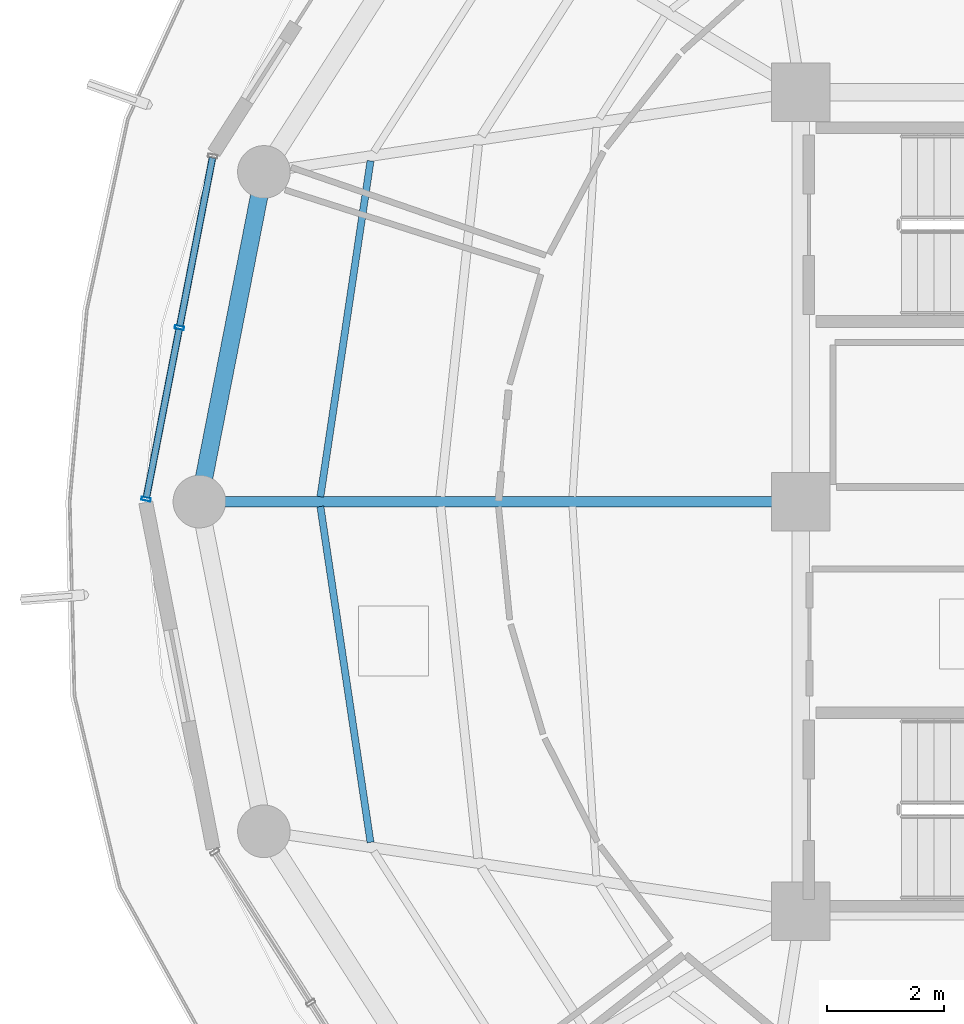
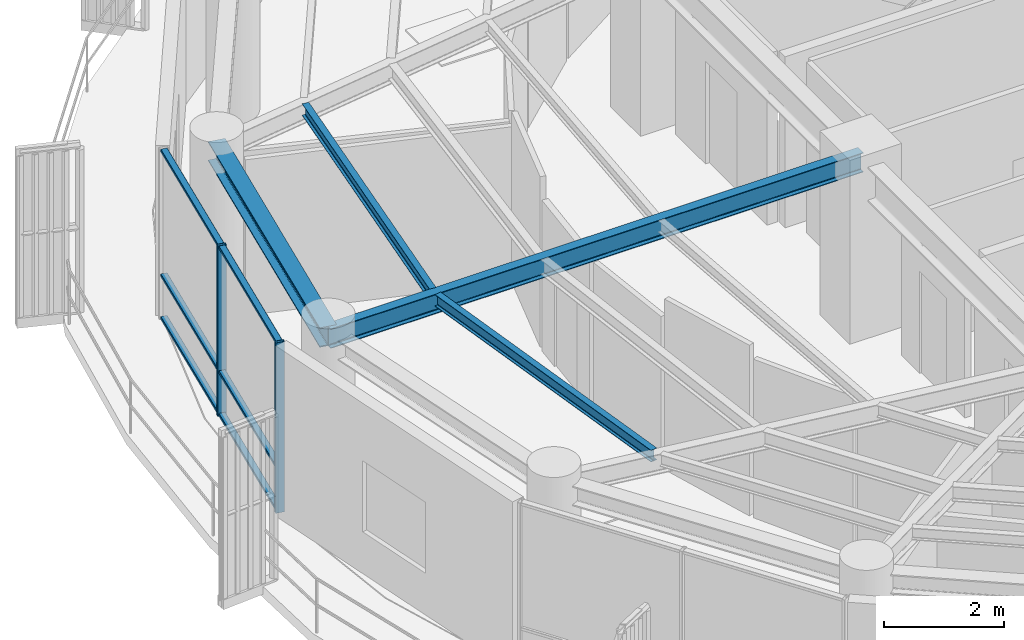
# One storey, part 7 of 23: 8 members, 4 beams, 1 element without a shape of its own.
"""IFC4 building model written with IfcOpenShell, lengths in metres."""

import ifcopenshell
import ifcopenshell.guid

model = None  # the IFC model being written
_history = None  # IfcOwnerHistory: only IFC2X3 demands one
_inside = {}  # id of a spatial element -> (the spatial element, [elements in it])
_under = {}  # id of a project, library or spatial element -> (it, [spatial elements below it])
_declared = {}  # id of a project -> (the project, [libraries it declares])
_typed = {}  # id of a type object -> (the type object, [elements of that type])
_made_of = {}  # id of a material, layer set ... -> (it, [elements and type objects made of it])


def new_model(schema):
    """Start an empty IFC model of exactly this schema.

    Asked for "IFC4X3", IfcOpenShell would pick the latest addendum, in which some entities
    have other attributes; the version numbers below select the first issue.
    IFC2X3 requires an IfcOwnerHistory on every rooted entity: one is made here for all.
    """
    global model, _history
    if schema == "IFC4X3":
        model = ifcopenshell.file(schema_version=(4, 3, 0, 0))
    else:
        model = ifcopenshell.file(schema=schema)
    _inside.clear()
    _under.clear()
    _declared.clear()
    _typed.clear()
    _made_of.clear()
    _history = None
    if model.schema == "IFC2X3":
        org = make("IfcOrganization", Name="unknown")
        user = make(
            "IfcPersonAndOrganization",
            ThePerson=make("IfcPerson", FamilyName="unknown"),
            TheOrganization=org,
        )
        app = make(
            "IfcApplication",
            ApplicationDeveloper=org,
            Version="unknown",
            ApplicationFullName="unknown",
            ApplicationIdentifier="unknown",
        )
        _history = make(
            "IfcOwnerHistory",
            OwningUser=user,
            OwningApplication=app,
            ChangeAction="ADDED",
            CreationDate=0,
        )
    return model


def make(cls, **values):
    """One entity of the class cls with the attributes given. An attribute that is None is left unset."""
    return model.create_entity(
        cls, **{name: value for name, value in values.items() if value is not None}
    )


def rooted(cls, **values):
    """An entity with a GlobalId (a new one), such as an element, a storey or a relation."""
    return make(cls, GlobalId=ifcopenshell.guid.new(), OwnerHistory=_history, **values)


def si_unit(unit_type, name, prefix=None):
    """IfcSIUnit, for example si_unit("LENGTHUNIT", "METRE", prefix="MILLI")."""
    return make("IfcSIUnit", UnitType=unit_type, Prefix=prefix, Name=name)


def assignment(units):
    """IfcUnitAssignment: the units of a project."""
    return None if units is None else make("IfcUnitAssignment", Units=units)


def point(xyz):
    """IfcCartesianPoint."""
    return None if xyz is None else make("IfcCartesianPoint", Coordinates=xyz)


def direction(xyz):
    """IfcDirection."""
    return None if xyz is None else make("IfcDirection", DirectionRatios=xyz)


def frame(location, z_axis=None, x_axis=None):
    """IfcAxis2Placement3D, a coordinate frame: its origin and axes. An axis left out is left unset."""
    return make(
        "IfcAxis2Placement3D",
        Location=point(location),
        Axis=direction(z_axis),
        RefDirection=direction(x_axis),
    )


def frame_2d(location, x_axis=None):
    """IfcAxis2Placement2D, a coordinate frame in the plane: its origin and x axis."""
    return make(
        "IfcAxis2Placement2D", Location=point(location), RefDirection=direction(x_axis)
    )


def origin():
    """The frame at (0, 0, 0) with its axes left unset."""
    return frame((0.0, 0.0, 0.0))


def origin_2d():
    """The frame at (0, 0) in the plane with its x axis left unset."""
    return frame_2d((0.0, 0.0))


def place(relative_to, where):
    """IfcLocalPlacement: puts the frame where relative to a parent placement (None: the world)."""
    return make(
        "IfcLocalPlacement", PlacementRelTo=relative_to, RelativePlacement=where
    )


def context(
    kind, dimensions, precision=None, world=None, true_north=None, identifier=None
):
    """IfcGeometricRepresentationContext, for example the 3D "Model" context."""
    return make(
        "IfcGeometricRepresentationContext",
        ContextIdentifier=identifier,
        ContextType=kind,
        CoordinateSpaceDimension=dimensions,
        Precision=precision,
        WorldCoordinateSystem=world,
        TrueNorth=true_north,
    )


def subcontext(parent, identifier, kind, view, scale=None):
    """IfcGeometricRepresentationSubContext, for example "Body" below "Model"."""
    return make(
        "IfcGeometricRepresentationSubContext",
        ContextIdentifier=identifier,
        ContextType=kind,
        ParentContext=parent,
        TargetScale=scale,
        TargetView=view,
    )


def project(units=None, contexts=None):
    """IfcProject with its units and contexts."""
    return rooted(
        "IfcProject",
        Name="project",
        RepresentationContexts=contexts,
        UnitsInContext=assignment(units),
    )


def spatial(cls, under=None, at=None, **own):
    """A site, building, storey or space (cls), placed at a placement, below another one or the project."""
    s = rooted(cls, ObjectPlacement=at, **own)
    if under is not None:
        _under.setdefault(under.id(), (under, []))[1].append(s)
    return s


def profile(cls, at=None, kind="AREA", **sizes):
    """A parametric profile (cls). Its sizes go by their IFC names, for example OverallWidth=200.0."""
    return make(cls, ProfileType=kind, Position=at, **sizes)


def hollow_rectangle(**sizes):
    """IfcRectangleHollowProfileDef."""
    return profile("IfcRectangleHollowProfileDef", **sizes)


def i_section(**sizes):
    """IfcIShapeProfileDef."""
    return profile("IfcIShapeProfileDef", **sizes)


def extrude(swept, where, along, depth):
    """IfcExtrudedAreaSolid: the profile swept, set in the frame where, extruded along a direction by depth."""
    return make(
        "IfcExtrudedAreaSolid",
        SweptArea=swept,
        Position=where,
        ExtrudedDirection=direction(along),
        Depth=depth,
    )


def shape(context_of_items, identifier, shape_type, items):
    """IfcShapeRepresentation: the items that make up one representation, for example the "Body"."""
    return make(
        "IfcShapeRepresentation",
        ContextOfItems=context_of_items,
        RepresentationIdentifier=identifier,
        RepresentationType=shape_type,
        Items=items,
    )


def material(Name=None, Category=None):
    """IfcMaterial."""
    return make("IfcMaterial", Name=Name, Category=Category)


def layer(
    of_material, thickness, ventilated=None, Name=None, Category=None, Priority=None
):
    """IfcMaterialLayer: one layer of a wall or slab, of a material (None: an air gap)."""
    return make(
        "IfcMaterialLayer",
        Material=of_material,
        LayerThickness=thickness,
        IsVentilated=ventilated,
        Name=Name,
        Category=Category,
        Priority=Priority,
    )


def layer_set(layers, Name=None):
    """IfcMaterialLayerSet."""
    return make("IfcMaterialLayerSet", MaterialLayers=layers, LayerSetName=Name)


def material_profile(
    of_material, cross_section, Name=None, Category=None, Priority=None
):
    """IfcMaterialProfile: a cross section and its material."""
    return make(
        "IfcMaterialProfile",
        Name=Name,
        Material=of_material,
        Profile=cross_section,
        Priority=Priority,
        Category=Category,
    )


def profile_set(profiles, Name=None, composite=None):
    """IfcMaterialProfileSet."""
    return make(
        "IfcMaterialProfileSet",
        Name=Name,
        MaterialProfiles=profiles,
        CompositeProfile=composite,
    )


def made_of(thing, what):
    """Note that an element or type object is made of a material, layer set ...; save() writes the relation."""
    if what is not None:
        _made_of.setdefault(what.id(), (what, []))[1].append(thing)
    return thing


def type_object(cls, material=None, **own):
    """A type object (cls), such as IfcWallType, which elements share."""
    return made_of(rooted(cls, **own), material)


def element(
    cls,
    number,
    at=None,
    inside=None,
    cuts=None,
    type_object=None,
    material=None,
    context=None,
    identifier="Body",
    shape_type=None,
    held_by="IfcProductDefinitionShape",
    body=None,
    shapes=None,
    **own,
):
    """One element of the class cls, such as IfcWall. Its Tag is "e" and its number.

    at: its placement. inside: the storey or other place that contains it. cuts: it is an
    opening in that element (IfcRelVoidsElement). A single representation is given by context,
    identifier, shape_type and body (its items); several are given by shapes. held_by: the class
    of the entity that holds the representations. save() writes the other relations.
    """
    e = rooted(cls, Tag="e%d" % number, ObjectPlacement=at, **own)
    if body is not None:
        shapes = [shape(context, identifier, shape_type, body)]
    if shapes is not None:
        e.Representation = make(held_by, Representations=shapes)
    if inside is not None:
        _inside.setdefault(inside.id(), (inside, []))[1].append(e)
    if cuts is not None:
        rooted(
            "IfcRelVoidsElement", RelatingBuildingElement=cuts, RelatedOpeningElement=e
        )
    if type_object is not None:
        _typed.setdefault(type_object.id(), (type_object, []))[1].append(e)
    return made_of(e, material)


def aggregate(whole, parts):
    """IfcRelAggregates: a whole, such as a stair, and the parts it consists of."""
    return rooted("IfcRelAggregates", RelatingObject=whole, RelatedObjects=parts)


def save(model, path):
    """Write the relations noted so far, then the file.

    IfcRelAggregates (storeys below a building ...), IfcRelContainedInSpatialStructure (elements
    in a storey), IfcRelDefinesByType, IfcRelAssociatesMaterial and IfcRelDeclares: one each for
    every whole, place, type object, material and project.
    """
    for whole, parts in _under.values():
        aggregate(whole, parts)
    for where, things in _inside.values():
        rooted(
            "IfcRelContainedInSpatialStructure",
            RelatedElements=things,
            RelatingStructure=where,
        )
    for kind, things in _typed.values():
        rooted("IfcRelDefinesByType", RelatedObjects=things, RelatingType=kind)
    for what, things in _made_of.values():
        rooted("IfcRelAssociatesMaterial", RelatedObjects=things, RelatingMaterial=what)
    for by, libraries in _declared.values():
        rooted("IfcRelDeclares", RelatingContext=by, RelatedDefinitions=libraries)
    model.write(path)


model = new_model("IFC4")

# Units and contexts
model_context = context("Model", 3, precision=1e-05, world=origin(), true_north=direction((0.0, 1.0)))
body_context = subcontext(model_context, "Body", "Model", "MODEL_VIEW")
ifc_project = project(units=[si_unit("LENGTHUNIT", "METRE"), si_unit("AREAUNIT", "SQUARE_METRE"), si_unit("VOLUMEUNIT", "CUBIC_METRE"), si_unit("PLANEANGLEUNIT", "RADIAN"), si_unit("MASSUNIT", "GRAM", prefix="KILO")], contexts=[model_context])

# Site, building, storey
site_placement = place(None, origin())
site = spatial("IfcSite", under=ifc_project, at=site_placement, CompositionType="ELEMENT")
building_placement = place(site_placement, origin())
building = spatial("IfcBuilding", under=site, at=building_placement, Name="Kelanora Arch Commons", CompositionType="ELEMENT")
storey_placement = place(building_placement, frame((0.0, 0.0, 286.199951171875)))
storey = spatial("IfcBuildingStorey", under=building, at=storey_placement, Name="L73", CompositionType="ELEMENT", Elevation=286.199951171875)

# Beams
ifc_material_1 = material(Name="Steel S355", Category="steel")
ifc_material_profile_1 = material_profile(ifc_material_1, i_section(OverallWidth=0.1201171875, OverallDepth=0.239990234375, WebThickness=0.006103515625, FlangeThickness=0.009765625, FilletRadius=0.014892578125, at=origin_2d()), Name="IPE240")
ifc_profile_set_1 = profile_set([ifc_material_profile_1], Name="Steel S355")
beam_type_1 = type_object("IfcBeamType", Name="BM-JST-02", PredefinedType="JOIST", material=ifc_profile_set_1)
for number, where, z_axis, x_axis, name in (
    (1, (58.6455078125, 63.8251953125, 3.3701171875), (-0.14762470282, -0.989043450571, 0.0), (0.989043450571, -0.14762470282, 0.0), "Secondary Chord Joist BJC-16 L73"),
    (2, (57.78857421875, 57.916015625, 3.3701171875), (0.14762470282, -0.989043450571, 0.0), (0.989043450571, 0.14762470282, 0.0), "Secondary Chord Joist BJC-18 L73"),
):
    element("IfcBeam", number, at=place(storey_placement, frame(where, z_axis=z_axis, x_axis=x_axis)), inside=storey, type_object=beam_type_1, Name=name, PredefinedType="JOIST", context=body_context, shape_type="SweptSolid", body=[
        extrude(i_section(OverallWidth=0.1201171875, OverallDepth=0.239990234375, WebThickness=0.006103515625, FlangeThickness=0.009765625, FilletRadius=0.014892578125, at=origin_2d()), origin(), (0.0, 0.0, 1.0), 5.804931640625),
    ])
ifc_material_profile_2 = material_profile(ifc_material_1, i_section(OverallWidth=0.179931640625, OverallDepth=0.39990234375, WebThickness=0.008544921875, FlangeThickness=0.013427734375, FilletRadius=0.02099609375, at=origin_2d()), Name="IPE400")
ifc_profile_set_2 = profile_set([ifc_material_profile_2], Name="Steel S355")
beam_type_2 = type_object("IfcBeamType", Name="BM-RAD-Z5", PredefinedType="BEAM", material=ifc_profile_set_2)
beam_1_placement = place(storey_placement, frame((66.0, 58.0, 3.2900390625), z_axis=(-1.0, 0.0, 0.0), x_axis=(0.0, -1.0, 0.0)))
element("IfcBeam", 3, at=beam_1_placement, inside=storey, type_object=beam_type_2, Name="Radial Floor Girder BR-18 L73", PredefinedType="BEAM", context=body_context, shape_type="SweptSolid", body=[
    extrude(i_section(OverallWidth=0.179931640625, OverallDepth=0.39990234375, WebThickness=0.008544921875, FlangeThickness=0.013427734375, FilletRadius=0.02099609375, at=origin_2d()), origin(), (0.0, 0.0, 1.0), 10.280029296875),
])
ifc_material_profile_3 = material_profile(ifc_material_1, i_section(OverallWidth=0.300048828125, OverallDepth=0.39990234375, WebThickness=0.013427734375, FlangeThickness=0.02392578125, FilletRadius=0.027099609375, at=origin_2d()), Name="HEB400")
ifc_profile_set_3 = profile_set([ifc_material_profile_3], Name="Steel S355")
beam_type_3 = type_object("IfcBeamType", Name="BM-SPN-Z4", PredefinedType="SPANDREL", material=ifc_profile_set_3)
beam_2_placement = place(storey_placement, frame((56.822509765625, 63.636474609375, 3.2900390625), z_axis=(-0.191969774604, -0.981400838413, 0.0), x_axis=(0.981400838413, -0.191969774604, 0.0)))
element("IfcBeam", 4, at=beam_2_placement, inside=storey, type_object=beam_type_3, Name="Perimeter Spandrel Beam BS-16 L73", PredefinedType="SPANDREL", context=body_context, shape_type="SweptSolid", body=[
    extrude(i_section(OverallWidth=0.300048828125, OverallDepth=0.39990234375, WebThickness=0.013427734375, FlangeThickness=0.02392578125, FilletRadius=0.027099609375, at=origin_2d()), origin(), (0.0, 0.0, 1.0), 5.743408203125),
])

# Curtain wall, members
ifc_material_2 = material(Name="Terracotta ceramic-fritted low-E glass and aluminium", Category="masonry")
ifc_layer = layer(ifc_material_2, 0.18994140625)
ifc_layer_set = layer_set([ifc_layer], Name="Terracotta ceramic-fritted low-E glass and aluminium")
curtain_wall_type = type_object("IfcCurtainWallType", Name="CW-SYS-03", PredefinedType="NOTDEFINED", material=ifc_layer_set)
curtain_wall_placement = place(storey_placement, origin())
curtain_wall = element("IfcCurtainWall", 5, at=curtain_wall_placement, inside=storey, type_object=curtain_wall_type, Name="Unitised Curtain Wall L73-B08", PredefinedType="NOTDEFINED")
ifc_material_3 = material(Name="Powder-coated aluminium terracotta", Category="masonry")
ifc_material_profile_4 = material_profile(ifc_material_3, hollow_rectangle(XDim=0.159912109375, YDim=0.06005859375, WallThickness=0.0048828125, InnerFilletRadius=0.0048828125, OuterFilletRadius=0.010009765625, at=origin_2d()), Name="CWM160x60")
ifc_profile_set_4 = profile_set([ifc_material_profile_4], Name="Powder-coated aluminium terracotta")
member_type_1 = type_object("IfcMemberType", Name="CWM-STD", PredefinedType="MULLION", material=ifc_profile_set_4)
member_1_placement = place(storey_placement, frame((55.37890625, 60.9755859375, 0.0), z_axis=(0.0, 0.0, 1.0), x_axis=(0.981595542501, -0.190971701941, 0.0)))
member_1 = element("IfcMember", 6, at=member_1_placement, type_object=member_type_1, Name="CW-03 mullion 2", PredefinedType="MULLION", context=body_context, shape_type="SweptSolid", body=[
    extrude(hollow_rectangle(XDim=0.159912109375, YDim=0.06005859375, WallThickness=0.0048828125, InnerFilletRadius=0.0048828125, OuterFilletRadius=0.010009765625, at=origin_2d()), origin(), (0.0, 0.0, 1.0), 3.47509765625),
])
member_2_placement = place(storey_placement, frame((54.80859375, 58.044189453125, 0.0), z_axis=(0.0, 0.0, 1.0), x_axis=(0.981595542501, -0.190971701941, 0.0)))
member_2 = element("IfcMember", 7, at=member_2_placement, type_object=member_type_1, Name="CW-03 mullion 3", PredefinedType="MULLION", context=body_context, shape_type="SweptSolid", body=[
    extrude(hollow_rectangle(XDim=0.159912109375, YDim=0.06005859375, WallThickness=0.0048828125, InnerFilletRadius=0.0048828125, OuterFilletRadius=0.010009765625, at=origin_2d()), origin(), (0.0, 0.0, 1.0), 3.47509765625),
])
ifc_material_profile_5 = material_profile(ifc_material_3, hollow_rectangle(XDim=0.1201171875, YDim=0.06005859375, WallThickness=0.0048828125, InnerFilletRadius=0.0048828125, OuterFilletRadius=0.010009765625, at=origin_2d()), Name="CWT120x60")
ifc_profile_set_5 = profile_set([ifc_material_profile_5], Name="Powder-coated aluminium terracotta")
member_type_2 = type_object("IfcMemberType", Name="CWT-STD", PredefinedType="USERDEFINED", material=ifc_profile_set_5)
member_3_placement = place(storey_placement, frame((55.943603515625, 63.877685546875, 0.030029296875), z_axis=(-0.190963443354, -0.981597149192, 0.0), x_axis=(0.981597149192, -0.190963443354, 0.0)))
member_3 = element("IfcMember", 8, at=member_3_placement, type_object=member_type_2, Name="CW-03 transom 1.1", ObjectType="TRANSOM", PredefinedType="USERDEFINED", context=body_context, shape_type="SweptSolid", body=[
    extrude(hollow_rectangle(XDim=0.1201171875, YDim=0.06005859375, WallThickness=0.0048828125, InnerFilletRadius=0.0048828125, OuterFilletRadius=0.010009765625, at=origin_2d()), origin(), (0.0, 0.0, 1.0), 2.926513671875),
])
member_4_placement = place(storey_placement, frame((55.943603515625, 63.877685546875, 0.900146484375), z_axis=(-0.190963443354, -0.981597149192, 0.0), x_axis=(0.981597149192, -0.190963443354, 0.0)))
member_4 = element("IfcMember", 9, at=member_4_placement, type_object=member_type_2, Name="CW-03 transom 1.2", ObjectType="TRANSOM", PredefinedType="USERDEFINED", context=body_context, shape_type="SweptSolid", body=[
    extrude(hollow_rectangle(XDim=0.1201171875, YDim=0.06005859375, WallThickness=0.0048828125, InnerFilletRadius=0.0048828125, OuterFilletRadius=0.010009765625, at=origin_2d()), origin(), (0.0, 0.0, 1.0), 2.926513671875),
])
member_5_placement = place(storey_placement, frame((55.943603515625, 63.877685546875, 3.445068359375), z_axis=(-0.190963443354, -0.981597149192, 0.0), x_axis=(0.981597149192, -0.190963443354, 0.0)))
member_5 = element("IfcMember", 10, at=member_5_placement, type_object=member_type_2, Name="CW-03 transom 1.3", ObjectType="TRANSOM", PredefinedType="USERDEFINED", context=body_context, shape_type="SweptSolid", body=[
    extrude(hollow_rectangle(XDim=0.1201171875, YDim=0.06005859375, WallThickness=0.0048828125, InnerFilletRadius=0.0048828125, OuterFilletRadius=0.010009765625, at=origin_2d()), origin(), (0.0, 0.0, 1.0), 2.926513671875),
])
member_6_placement = place(storey_placement, frame((55.373291015625, 60.946044921875, 0.030029296875), z_axis=(-0.190963443354, -0.981597149192, 0.0), x_axis=(0.981597149192, -0.190963443354, 0.0)))
member_6 = element("IfcMember", 11, at=member_6_placement, type_object=member_type_2, Name="CW-03 transom 2.1", ObjectType="TRANSOM", PredefinedType="USERDEFINED", context=body_context, shape_type="SweptSolid", body=[
    extrude(hollow_rectangle(XDim=0.1201171875, YDim=0.06005859375, WallThickness=0.0048828125, InnerFilletRadius=0.0048828125, OuterFilletRadius=0.010009765625, at=origin_2d()), origin(), (0.0, 0.0, 1.0), 2.926513671875),
])
member_7_placement = place(storey_placement, frame((55.373291015625, 60.946044921875, 0.900146484375), z_axis=(-0.190963443354, -0.981597149192, 0.0), x_axis=(0.981597149192, -0.190963443354, 0.0)))
member_7 = element("IfcMember", 12, at=member_7_placement, type_object=member_type_2, Name="CW-03 transom 2.2", ObjectType="TRANSOM", PredefinedType="USERDEFINED", context=body_context, shape_type="SweptSolid", body=[
    extrude(hollow_rectangle(XDim=0.1201171875, YDim=0.06005859375, WallThickness=0.0048828125, InnerFilletRadius=0.0048828125, OuterFilletRadius=0.010009765625, at=origin_2d()), origin(), (0.0, 0.0, 1.0), 2.926513671875),
])
member_8_placement = place(storey_placement, frame((55.373291015625, 60.946044921875, 3.445068359375), z_axis=(-0.190963443354, -0.981597149192, 0.0), x_axis=(0.981597149192, -0.190963443354, 0.0)))
member_8 = element("IfcMember", 13, at=member_8_placement, type_object=member_type_2, Name="CW-03 transom 2.3", ObjectType="TRANSOM", PredefinedType="USERDEFINED", context=body_context, shape_type="SweptSolid", body=[
    extrude(hollow_rectangle(XDim=0.1201171875, YDim=0.06005859375, WallThickness=0.0048828125, InnerFilletRadius=0.0048828125, OuterFilletRadius=0.010009765625, at=origin_2d()), origin(), (0.0, 0.0, 1.0), 2.926513671875),
])
aggregate(curtain_wall, [member_1, member_2, member_3, member_4, member_5, member_6, member_7, member_8])

save(model, "model.ifc")
